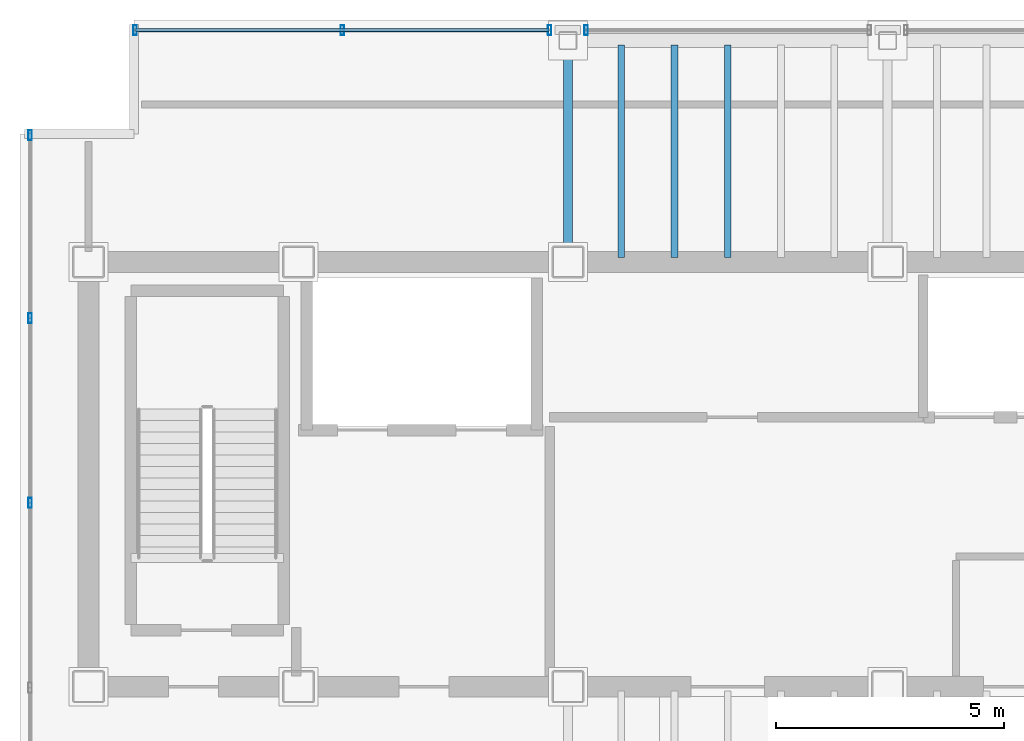
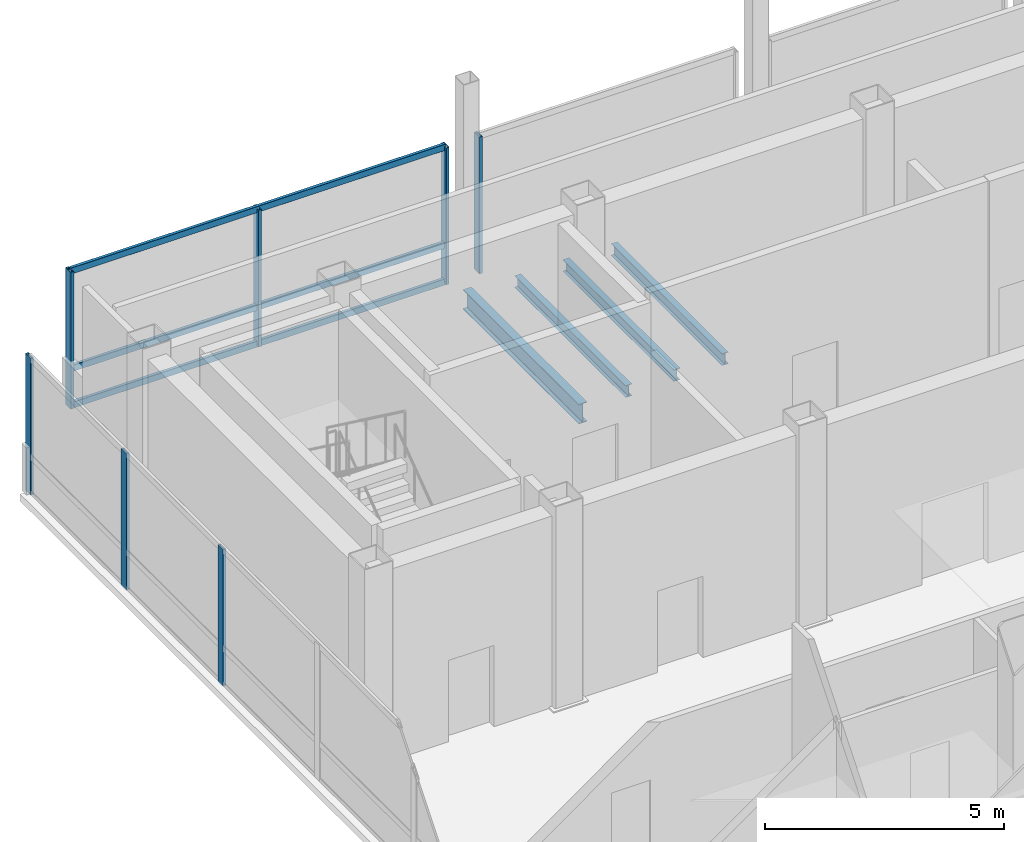
# One storey, part 9 of 17: 10 members, 4 beams, 3 elements without a shape of their own.
"""IFC4 building model written with IfcOpenShell, lengths in metres."""

from ifc_helpers import new_model, si_unit, direction, frame, origin, origin_2d, place, context, subcontext, project, spatial, hollow_rectangle, i_section, extrude, material, material_profile, profile_set, type_object, element, aggregate, save


model = new_model("IFC4")

# Units and contexts
model_context = context("Model", 3, precision=1e-05, world=origin(), true_north=direction((0.0, 1.0)))
body_context = subcontext(model_context, "Body", "Model", "MODEL_VIEW")
ifc_project = project(units=[si_unit("LENGTHUNIT", "METRE"), si_unit("AREAUNIT", "SQUARE_METRE"), si_unit("VOLUMEUNIT", "CUBIC_METRE"), si_unit("PLANEANGLEUNIT", "RADIAN"), si_unit("MASSUNIT", "GRAM", prefix="KILO")], contexts=[model_context])

# Site, building, storey
site_placement = place(None, origin())
site = spatial("IfcSite", under=ifc_project, at=site_placement, CompositionType="ELEMENT")
building_placement = place(site_placement, origin())
building = spatial("IfcBuilding", under=site, at=building_placement, Name="Noeulbin Bourse Tower", CompositionType="ELEMENT")
storey_placement = place(building_placement, frame((0.0, 0.0, 300.800048828125)))
storey = spatial("IfcBuildingStorey", under=building, at=storey_placement, Name="L75", CompositionType="ELEMENT", Elevation=300.800048828125)

# Beams
ifc_material_1 = material(Name="Steel S355", Category="steel")
ifc_material_profile_1 = material_profile(ifc_material_1, i_section(OverallWidth=0.199951171875, OverallDepth=0.5, WebThickness=0.010009765625, FlangeThickness=0.01611328125, FilletRadius=0.02001953125, at=origin_2d()), Name="H-500x200x10x16", Category="LoadBearing")
ifc_profile_set_1 = profile_set([ifc_material_profile_1], Name="Steel S355")
beam_type_1 = type_object("IfcBeamType", Name="BM-GRD-500", PredefinedType="USERDEFINED", material=ifc_profile_set_1)
beam_placement = place(storey_placement, frame((24.0, 38.300048828125, -0.429931640625), z_axis=(0.0, 1.0, 0.0), x_axis=(-1.0, 0.0, 0.0)))
element("IfcBeam", 1, at=beam_placement, inside=storey, type_object=beam_type_1, Name="Tower Primary Girder NS L75-2.4", ObjectType="GIRDER", PredefinedType="USERDEFINED", context=body_context, shape_type="SweptSolid", body=[
    extrude(i_section(OverallWidth=0.199951171875, OverallDepth=0.5, WebThickness=0.010009765625, FlangeThickness=0.01611328125, FilletRadius=0.02001953125, at=origin_2d()), origin(), (0.0, 0.0, 1.0), 4.849853515625),
])
ifc_material_profile_2 = material_profile(ifc_material_1, i_section(OverallWidth=0.14990234375, OverallDepth=0.300048828125, WebThickness=0.006591796875, FlangeThickness=0.009033203125, FilletRadius=0.012939453125, at=origin_2d()), Name="H-300x150x6.5x9", Category="LoadBearing")
ifc_profile_set_2 = profile_set([ifc_material_profile_2], Name="Steel S355")
beam_type_2 = type_object("IfcBeamType", Name="BM-JST-300", PredefinedType="JOIST", material=ifc_profile_set_2)
for number, where, z_axis, x_axis, name in (
    (2, (25.166748046875, 38.39990234375, -0.330078125), (0.0, 1.0, 0.0), (-1.0, 0.0, 0.0), "Tower Composite Joist L75-02"),
    (3, (26.333251953125, 38.39990234375, -0.330078125), (0.0, 1.0, 0.0), (-1.0, 0.0, 0.0), "Tower Composite Joist L75-04"),
    (4, (27.5, 38.39990234375, -0.330078125), (0.0, 1.0, 0.0), (-1.0, 0.0, 0.0), "Tower Composite Joist L75-06"),
):
    element("IfcBeam", number, at=place(storey_placement, frame(where, z_axis=z_axis, x_axis=x_axis)), inside=storey, type_object=beam_type_2, Name=name, PredefinedType="JOIST", context=body_context, shape_type="SweptSolid", body=[
        extrude(i_section(OverallWidth=0.14990234375, OverallDepth=0.300048828125, WebThickness=0.006591796875, FlangeThickness=0.009033203125, FilletRadius=0.012939453125, at=origin_2d()), origin(), (0.0, 0.0, 1.0), 4.650146484375),
    ])

# Curtain wall, members
ifc_material_2 = material(Name="High-Selectivity Low-Iron Glazing", Category="glass")
curtain_wall_type = type_object("IfcCurtainWallType", Name="CW-SYS-4", PredefinedType="NOTDEFINED", material=ifc_material_2)
curtain_wall_1_placement = place(storey_placement, origin())
curtain_wall_1 = element("IfcCurtainWall", 5, at=curtain_wall_1_placement, inside=storey, type_object=curtain_wall_type, Name="Unitised Curtain Wall CW-L75-N-S1", PredefinedType="NOTDEFINED")
ifc_material_3 = material(Name="Anodised Aluminium 6063-T6", Category="aluminium")
ifc_material_profile_3 = material_profile(ifc_material_3, hollow_rectangle(XDim=0.074951171875, YDim=0.219970703125, WallThickness=0.0048828125, InnerFilletRadius=0.00244140625, OuterFilletRadius=0.0048828125, at=origin_2d()), Name="ALU-MULL-75x220x5", Category="LoadBearing")
ifc_profile_set_3 = profile_set([ifc_material_profile_3], Name="Anodised Aluminium 6063-T6")
member_type_1 = type_object("IfcMemberType", Name="CW-SYS-4-MUL", PredefinedType="MULLION", material=ifc_profile_set_3)
member_1_placement = place(storey_placement, frame((14.52001953125, 43.3798828125, -0.02001953125), z_axis=(0.0, 0.0, 1.0), x_axis=(1.0, 0.0, 0.0)))
member_1 = element("IfcMember", 6, at=member_1_placement, type_object=member_type_1, Name="Curtain Wall Mullion CW-L75-N-S1-M00", PredefinedType="MULLION", context=body_context, shape_type="SweptSolid", body=[
    extrude(hollow_rectangle(XDim=0.074951171875, YDim=0.219970703125, WallThickness=0.0048828125, InnerFilletRadius=0.00244140625, OuterFilletRadius=0.0048828125, at=origin_2d()), origin(), (0.0, 0.0, 1.0), 3.5),
])
member_2_placement = place(storey_placement, frame((19.06005859375, 43.3798828125, -0.02001953125), z_axis=(0.0, 0.0, 1.0), x_axis=(1.0, 0.0, 0.0)))
member_2 = element("IfcMember", 7, at=member_2_placement, type_object=member_type_1, Name="Curtain Wall Mullion CW-L75-N-S1-M01", PredefinedType="MULLION", context=body_context, shape_type="SweptSolid", body=[
    extrude(hollow_rectangle(XDim=0.074951171875, YDim=0.219970703125, WallThickness=0.0048828125, InnerFilletRadius=0.00244140625, OuterFilletRadius=0.0048828125, at=origin_2d()), origin(), (0.0, 0.0, 1.0), 3.5),
])
member_3_placement = place(storey_placement, frame((23.60009765625, 43.3798828125, -0.02001953125), z_axis=(0.0, 0.0, 1.0), x_axis=(1.0, 0.0, 0.0)))
member_3 = element("IfcMember", 8, at=member_3_placement, type_object=member_type_1, Name="Curtain Wall Mullion CW-L75-N-S1-M02", PredefinedType="MULLION", context=body_context, shape_type="SweptSolid", body=[
    extrude(hollow_rectangle(XDim=0.074951171875, YDim=0.219970703125, WallThickness=0.0048828125, InnerFilletRadius=0.00244140625, OuterFilletRadius=0.0048828125, at=origin_2d()), origin(), (0.0, 0.0, 1.0), 3.5),
])

# Curtain wall, member
curtain_wall_2_placement = place(storey_placement, origin())
curtain_wall_2 = element("IfcCurtainWall", 9, at=curtain_wall_2_placement, inside=storey, type_object=curtain_wall_type, Name="Unitised Curtain Wall CW-L75-N-S2", PredefinedType="NOTDEFINED")
member_4_placement = place(storey_placement, frame((24.39990234375, 43.3798828125, -0.02001953125), z_axis=(0.0, 0.0, 1.0), x_axis=(1.0, 0.0, 0.0)))
member_4 = element("IfcMember", 10, at=member_4_placement, type_object=member_type_1, Name="Curtain Wall Mullion CW-L75-N-S2-M00", PredefinedType="MULLION", context=body_context, shape_type="SweptSolid", body=[
    extrude(hollow_rectangle(XDim=0.074951171875, YDim=0.219970703125, WallThickness=0.0048828125, InnerFilletRadius=0.00244140625, OuterFilletRadius=0.0048828125, at=origin_2d()), origin(), (0.0, 0.0, 1.0), 3.5),
])
aggregate(curtain_wall_2, [member_4])

# Curtain wall, members
curtain_wall_3_placement = place(storey_placement, origin())
curtain_wall_3 = element("IfcCurtainWall", 11, at=curtain_wall_3_placement, inside=storey, type_object=curtain_wall_type, Name="Unitised Curtain Wall CW-L75-W", PredefinedType="NOTDEFINED")
member_5_placement = place(storey_placement, frame((12.219970703125, 33.02392578125, -0.02001953125), z_axis=(0.0, 0.0, 1.0), x_axis=(1.0, 0.0, 0.0)))
member_5 = element("IfcMember", 12, at=member_5_placement, type_object=member_type_1, Name="Curtain Wall Mullion CW-L75-W-M03", PredefinedType="MULLION", context=body_context, shape_type="SweptSolid", body=[
    extrude(hollow_rectangle(XDim=0.074951171875, YDim=0.219970703125, WallThickness=0.0048828125, InnerFilletRadius=0.00244140625, OuterFilletRadius=0.0048828125, at=origin_2d()), origin(), (0.0, 0.0, 1.0), 3.5),
])
member_6_placement = place(storey_placement, frame((12.219970703125, 37.072021484375, -0.02001953125), z_axis=(0.0, 0.0, 1.0), x_axis=(1.0, 0.0, 0.0)))
member_6 = element("IfcMember", 13, at=member_6_placement, type_object=member_type_1, Name="Curtain Wall Mullion CW-L75-W-M04", PredefinedType="MULLION", context=body_context, shape_type="SweptSolid", body=[
    extrude(hollow_rectangle(XDim=0.074951171875, YDim=0.219970703125, WallThickness=0.0048828125, InnerFilletRadius=0.00244140625, OuterFilletRadius=0.0048828125, at=origin_2d()), origin(), (0.0, 0.0, 1.0), 3.5),
])
member_7_placement = place(storey_placement, frame((12.219970703125, 41.080078125, -0.02001953125), z_axis=(0.0, 0.0, 1.0), x_axis=(1.0, 0.0, 0.0)))
member_7 = element("IfcMember", 14, at=member_7_placement, type_object=member_type_1, Name="Curtain Wall Mullion CW-L75-W-M05", PredefinedType="MULLION", context=body_context, shape_type="SweptSolid", body=[
    extrude(hollow_rectangle(XDim=0.074951171875, YDim=0.219970703125, WallThickness=0.0048828125, InnerFilletRadius=0.00244140625, OuterFilletRadius=0.0048828125, at=origin_2d()), origin(), (0.0, 0.0, 1.0), 3.5),
])
aggregate(curtain_wall_3, [member_5, member_6, member_7])

# Member
ifc_material_profile_4 = material_profile(ifc_material_3, hollow_rectangle(XDim=0.074951171875, YDim=0.159912109375, WallThickness=0.0048828125, InnerFilletRadius=0.00244140625, OuterFilletRadius=0.0048828125, at=origin_2d()), Name="ALU-TRAN-75x160x5", Category="LoadBearing")
ifc_profile_set_4 = profile_set([ifc_material_profile_4], Name="Anodised Aluminium 6063-T6")
member_type_2 = type_object("IfcMemberType", Name="CW-SYS-4-TRN", PredefinedType="USERDEFINED", material=ifc_profile_set_4)
member_8_placement = place(storey_placement, frame((14.530029296875, 43.3798828125, 0.010009765625), z_axis=(1.0, 0.0, 0.0), x_axis=(0.0, 1.0, 0.0)))
member_8 = element("IfcMember", 15, at=member_8_placement, type_object=member_type_2, Name="Curtain Wall Transom CW-L75-N-S1-T00", ObjectType="TRANSOM", PredefinedType="USERDEFINED", context=body_context, shape_type="SweptSolid", body=[
    extrude(hollow_rectangle(XDim=0.074951171875, YDim=0.159912109375, WallThickness=0.0048828125, InnerFilletRadius=0.00244140625, OuterFilletRadius=0.0048828125, at=origin_2d()), origin(), (0.0, 0.0, 1.0), 9.06005859375),
])

member_9_placement = place(storey_placement, frame((14.530029296875, 43.3798828125, 0.949951171875), z_axis=(1.0, 0.0, 0.0), x_axis=(0.0, 1.0, 0.0)))
member_9 = element("IfcMember", 16, at=member_9_placement, type_object=member_type_2, Name="Curtain Wall Transom CW-L75-N-S1-T01", ObjectType="TRANSOM", PredefinedType="USERDEFINED", context=body_context, shape_type="SweptSolid", body=[
    extrude(hollow_rectangle(XDim=0.074951171875, YDim=0.159912109375, WallThickness=0.0048828125, InnerFilletRadius=0.00244140625, OuterFilletRadius=0.0048828125, at=origin_2d()), origin(), (0.0, 0.0, 1.0), 9.06005859375),
])

member_10_placement = place(storey_placement, frame((14.530029296875, 43.3798828125, 3.449951171875), z_axis=(1.0, 0.0, 0.0), x_axis=(0.0, 1.0, 0.0)))
member_10 = element("IfcMember", 17, at=member_10_placement, type_object=member_type_2, Name="Curtain Wall Transom CW-L75-N-S1-T02", ObjectType="TRANSOM", PredefinedType="USERDEFINED", context=body_context, shape_type="SweptSolid", body=[
    extrude(hollow_rectangle(XDim=0.074951171875, YDim=0.159912109375, WallThickness=0.0048828125, InnerFilletRadius=0.00244140625, OuterFilletRadius=0.0048828125, at=origin_2d()), origin(), (0.0, 0.0, 1.0), 9.06005859375),
])

aggregate(curtain_wall_1, [member_1, member_2, member_3, member_8, member_9, member_10])

save(model, "model.ifc")
